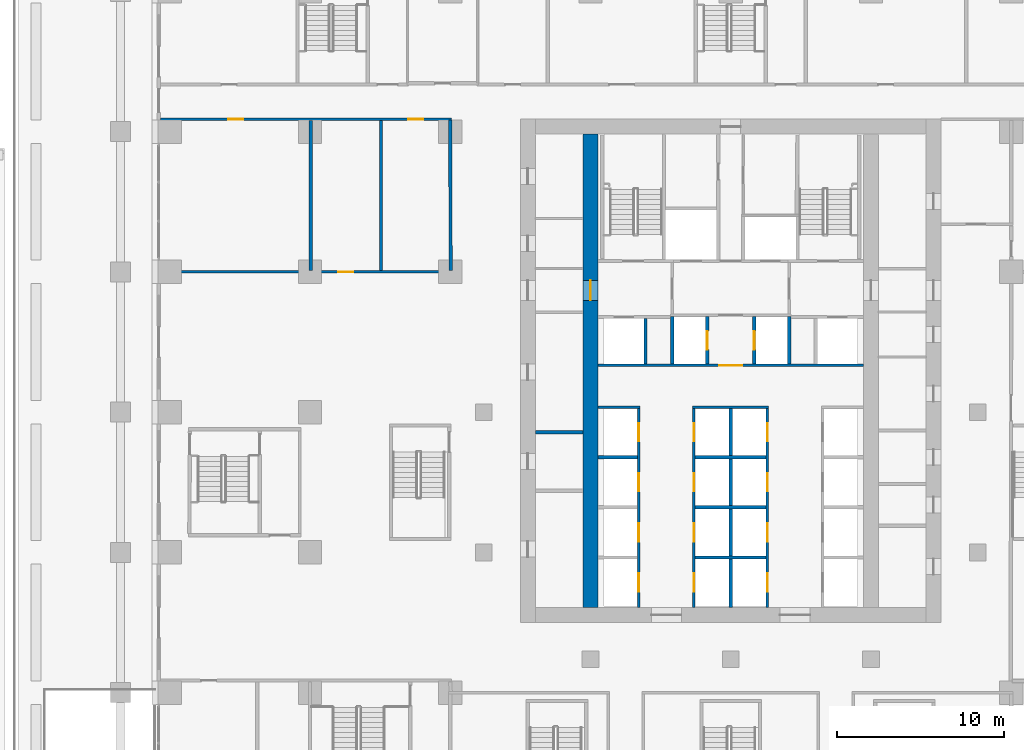
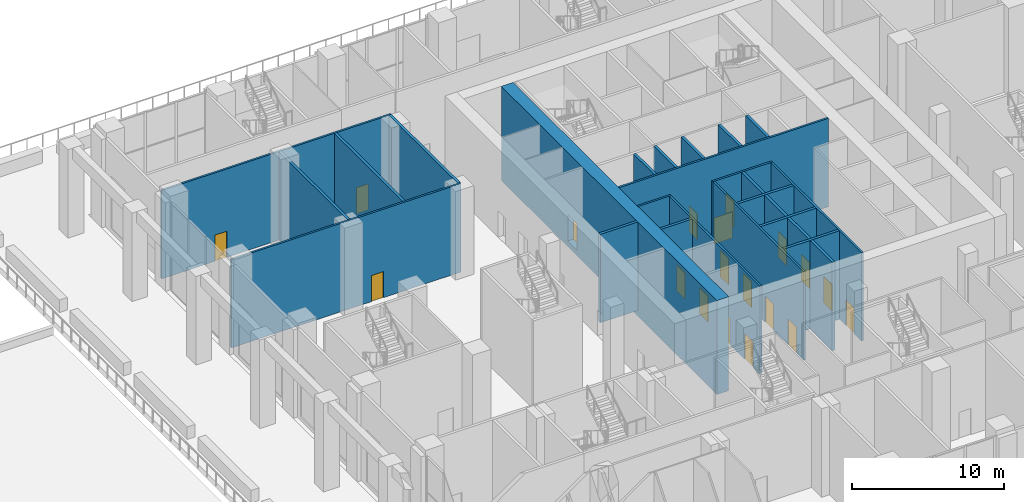
# One storey, part 24 of 53: 23 walls, 19 doors, 19 openings.
"""IFC4 building model written with IfcOpenShell, lengths in metres."""

from ifc_helpers import new_model, si_unit, direction, frame, frame_2d, origin, place, context, subcontext, project, spatial, rectangle, extrude, material, layer, layer_set, type_object, element, fill, save


model = new_model("IFC4")

# Units and contexts
model_context = context("Model", 3, precision=1e-05, world=origin(), true_north=direction((0.0, 1.0)))
body_context = subcontext(model_context, "Body", "Model", "MODEL_VIEW")
ifc_project = project(units=[si_unit("LENGTHUNIT", "METRE"), si_unit("AREAUNIT", "SQUARE_METRE"), si_unit("VOLUMEUNIT", "CUBIC_METRE"), si_unit("PLANEANGLEUNIT", "RADIAN"), si_unit("MASSUNIT", "GRAM", prefix="KILO")], contexts=[model_context])

# Site, building, storey
site_placement = place(None, origin())
site = spatial("IfcSite", under=ifc_project, at=site_placement, CompositionType="ELEMENT")
building_placement = place(site_placement, origin())
building = spatial("IfcBuilding", under=site, at=building_placement, Name="Vermilion Ogive Tower", CompositionType="ELEMENT")
storey_placement = place(building_placement, origin())
storey = spatial("IfcBuildingStorey", under=building, at=storey_placement, Name="L00", CompositionType="ELEMENT", Elevation=0.0)

# Wall, opening, door
ifc_material_1 = material(Name="Concrete B80", Category="concrete")
ifc_layer_1 = layer(ifc_material_1, 0.89990234375)
ifc_layer_set_1 = layer_set([ifc_layer_1], Name="Core wall 900 B80")
wall_type_1 = type_object("IfcWallType", Name="Core wall 900 B80", PredefinedType="SHEAR", material=ifc_layer_set_1)
wall_1_placement = place(storey_placement, frame((-8.39990234375, -7.5, -0.449951171875), z_axis=(0.0, 0.0, 1.0), x_axis=(0.0, 1.0, 0.0)))
wall_1 = element("IfcWall", 1, at=wall_1_placement, inside=storey, type_object=wall_type_1, Name="L00-CORE-WEB1", PredefinedType="SHEAR", context=body_context, shape_type="SweptSolid", body=[
    extrude(rectangle(XDim=28.35009765625, YDim=0.89990234375, at=frame_2d((14.175048828125, 0.0))), origin(), (0.0, 0.0, 1.0), 7.550048828125),
])
opening_1_placement = place(wall_1_placement, frame((18.39990234375, 0.0, 0.449951171875)))
opening_1 = element("IfcOpeningElement", 2, at=opening_1_placement, cuts=wall_1, Name="Opening DBD001", PredefinedType="OPENING", context=body_context, shape_type="SweptSolid", body=[
    extrude(rectangle(XDim=1.199951171875, YDim=2.10009765625, at=frame_2d((0.60009765625, 1.050048828125))), frame((0.0, 0.4599609375, 0.0), z_axis=(0.0, -1.0, 0.0), x_axis=(1.0, 0.0, 0.0)), (0.0, 0.0, 1.0), 0.919921875),
])
ifc_material_2 = material(Name="Timber door leaf", Category="wood")
door_type_1 = type_object("IfcDoorType", Name="Link door 1200 x 2100 FD60S", OperationType="SINGLE_SWING_LEFT", PredefinedType="DOOR", material=ifc_material_2)
door_1_placement = place(opening_1_placement, origin())
door_1 = element("IfcDoor", 3, at=door_1_placement, inside=storey, type_object=door_type_1, Name="L00-CKW-XW", OperationType="SINGLE_SWING_LEFT", OverallHeight=2.10009765625, OverallWidth=1.199951171875, PredefinedType="DOOR", context=body_context, shape_type="SweptSolid", body=[
    extrude(rectangle(XDim=1.199951171875, YDim=2.10009765625, at=frame_2d((0.60009765625, 1.050048828125))), frame((0.0, 0.02490234375, 0.0), z_axis=(0.0, -1.0, 0.0), x_axis=(1.0, 0.0, 0.0)), (0.0, 0.0, 1.0), 0.050048828125),
])
fill(opening_1, door_1)

ifc_material_3 = material(Name="Gypsum board partition on steel studs", Category="steel")
ifc_layer_2 = layer(ifc_material_3, 0.14990234375)
ifc_layer_set_2 = layer_set([ifc_layer_2], Name="Partition 150 corridor")
wall_type_2 = type_object("IfcWallType", Name="Partition 150 corridor", PredefinedType="PARTITIONING", material=ifc_layer_set_2)
wall_2_placement = place(storey_placement, frame((-34.14990234375, 12.60009765625, 0.0), z_axis=(0.0, 0.0, 1.0), x_axis=(1.0, 0.0, 0.0)))
wall_2 = element("IfcWall", 4, at=wall_2_placement, inside=storey, type_object=wall_type_2, Name="L00-FS-W-W033", PredefinedType="PARTITIONING", context=body_context, shape_type="SweptSolid", body=[
    extrude(rectangle(XDim=17.4248046875, YDim=0.14990234375, at=frame_2d((8.71240234375, 0.0))), origin(), (0.0, 0.0, 1.0), 7.10009765625),
])
opening_2_placement = place(wall_2_placement, frame((10.64990234375, 0.0, 0.0)))
opening_2 = element("IfcOpeningElement", 5, at=opening_2_placement, cuts=wall_2, Name="Opening L00S028", PredefinedType="OPENING", context=body_context, shape_type="SweptSolid", body=[
    extrude(rectangle(XDim=0.89990234375, YDim=2.10009765625, at=frame_2d((0.449951171875, 1.050048828125))), frame((0.0, 0.0849609375, 0.0), z_axis=(0.0, -1.0, 0.0), x_axis=(1.0, 0.0, 0.0)), (0.0, 0.0, 1.0), 0.169921875),
])
ifc_material_4 = material(Name="Timber door leaf", Category="wood")
door_type_2 = type_object("IfcDoorType", Name="Room door 900 x 2100 FD30", OperationType="SINGLE_SWING_LEFT", PredefinedType="DOOR", material=ifc_material_4)
door_2_placement = place(opening_2_placement, origin())
door_2 = element("IfcDoor", 6, at=door_2_placement, inside=storey, type_object=door_type_2, Name="L00-FS-D-D028", OperationType="SINGLE_SWING_RIGHT", OverallHeight=2.10009765625, OverallWidth=0.89990234375, PredefinedType="DOOR", context=body_context, shape_type="SweptSolid", body=[
    extrude(rectangle(XDim=0.89990234375, YDim=2.10009765625, at=frame_2d((0.449951171875, 1.050048828125))), frame((0.0, 0.02490234375, 0.0), z_axis=(0.0, -1.0, 0.0), x_axis=(1.0, 0.0, 0.0)), (0.0, 0.0, 1.0), 0.050048828125),
])
fill(opening_2, door_2)

# Wall, openings, doors
wall_3_placement = place(storey_placement, frame((-34.14990234375, 21.75, 0.0), z_axis=(0.0, 0.0, 1.0), x_axis=(1.0, 0.0, 0.0)))
wall_3 = element("IfcWall", 7, at=wall_3_placement, inside=storey, type_object=wall_type_2, Name="L00-FS-W-W037", PredefinedType="PARTITIONING", context=body_context, shape_type="SweptSolid", body=[
    extrude(rectangle(XDim=17.4248046875, YDim=0.14990234375, at=frame_2d((8.71240234375, 0.0))), origin(), (0.0, 0.0, 1.0), 7.10009765625),
])
opening_3_placement = place(wall_3_placement, frame((4.050048828125, 0.0, 0.0)))
opening_3 = element("IfcOpeningElement", 8, at=opening_3_placement, cuts=wall_3, Name="Opening L00S027", PredefinedType="OPENING", context=body_context, shape_type="SweptSolid", body=[
    extrude(rectangle(XDim=0.89990234375, YDim=2.10009765625, at=frame_2d((0.449951171875, 1.050048828125))), frame((0.0, 0.0849609375, 0.0), z_axis=(0.0, -1.0, 0.0), x_axis=(1.0, 0.0, 0.0)), (0.0, 0.0, 1.0), 0.169921875),
])
opening_4_placement = place(wall_3_placement, frame((14.824951171875, 0.0, 0.0)))
opening_4 = element("IfcOpeningElement", 9, at=opening_4_placement, cuts=wall_3, Name="Opening L00S029", PredefinedType="OPENING", context=body_context, shape_type="SweptSolid", body=[
    extrude(rectangle(XDim=0.89990234375, YDim=2.10009765625, at=frame_2d((0.449951171875, 1.050048828125))), frame((0.0, 0.0849609375, 0.0), z_axis=(0.0, -1.0, 0.0), x_axis=(1.0, 0.0, 0.0)), (0.0, 0.0, 1.0), 0.169921875),
])
door_3_placement = place(opening_3_placement, origin())
door_3 = element("IfcDoor", 10, at=door_3_placement, inside=storey, type_object=door_type_2, Name="L00-FS-D-D027", OperationType="SINGLE_SWING_RIGHT", OverallHeight=2.10009765625, OverallWidth=0.89990234375, PredefinedType="DOOR", context=body_context, shape_type="SweptSolid", body=[
    extrude(rectangle(XDim=0.89990234375, YDim=2.10009765625, at=frame_2d((0.449951171875, 1.050048828125))), frame((0.0, 0.02490234375, 0.0), z_axis=(0.0, -1.0, 0.0), x_axis=(1.0, 0.0, 0.0)), (0.0, 0.0, 1.0), 0.050048828125),
])
fill(opening_3, door_3)
door_4_placement = place(opening_4_placement, origin())
door_4 = element("IfcDoor", 11, at=door_4_placement, inside=storey, type_object=door_type_2, Name="L00-FS-D-D029", OperationType="SINGLE_SWING_LEFT", OverallHeight=2.10009765625, OverallWidth=0.89990234375, PredefinedType="DOOR", context=body_context, shape_type="SweptSolid", body=[
    extrude(rectangle(XDim=0.89990234375, YDim=2.10009765625, at=frame_2d((0.449951171875, 1.050048828125))), frame((0.0, 0.02490234375, 0.0), z_axis=(0.0, -1.0, 0.0), x_axis=(1.0, 0.0, 0.0)), (0.0, 0.0, 1.0), 0.050048828125),
])
fill(opening_4, door_4)

# Walls
wall_4_placement = place(storey_placement, frame((-7.948974609375, 4.5, 0.0), z_axis=(0.0, 0.0, 1.0), x_axis=(1.0, 0.0, 0.0)))
element("IfcWall", 12, at=wall_4_placement, inside=storey, type_object=wall_type_2, Name="L00-CK-W-W010", PredefinedType="PARTITIONING", context=body_context, shape_type="SweptSolid", body=[
    extrude(rectangle(XDim=2.52392578125, YDim=0.14990234375, at=frame_2d((1.261962890625, 0.0))), origin(), (0.0, 0.0, 1.0), 7.10009765625),
])
wall_5_placement = place(storey_placement, frame((-2.27490234375, 4.5, 0.0), z_axis=(0.0, 0.0, 1.0), x_axis=(1.0, 0.0, 0.0)))
element("IfcWall", 13, at=wall_5_placement, inside=storey, type_object=wall_type_2, Name="L00-CK-W-W011", PredefinedType="PARTITIONING", context=body_context, shape_type="SweptSolid", body=[
    extrude(rectangle(XDim=4.5498046875, YDim=0.14990234375, at=frame_2d((2.27490234375, 0.0))), origin(), (0.0, 0.0, 1.0), 7.10009765625),
])

# Wall, opening, door
wall_6_placement = place(storey_placement, frame((-7.948974609375, 7.0, 0.0), z_axis=(0.0, 0.0, 1.0), x_axis=(1.0, 0.0, 0.0)))
wall_6 = element("IfcWall", 14, at=wall_6_placement, inside=storey, type_object=wall_type_2, Name="L00-CK-W-W013", PredefinedType="PARTITIONING", context=body_context, shape_type="SweptSolid", body=[
    extrude(rectangle(XDim=15.89794921875, YDim=0.14990234375, at=frame_2d((7.948974609375, 0.0))), origin(), (0.0, 0.0, 1.0), 7.10009765625),
])
opening_5_placement = place(wall_6_placement, frame((7.2490234375, 0.0, 0.0)))
opening_5 = element("IfcOpeningElement", 15, at=opening_5_placement, cuts=wall_6, Name="Opening DAB003", PredefinedType="OPENING", context=body_context, shape_type="SweptSolid", body=[
    extrude(rectangle(XDim=1.39990234375, YDim=2.10009765625, at=frame_2d((0.699951171875, 1.050048828125))), frame((0.0, 0.0849609375, 0.0), z_axis=(0.0, -1.0, 0.0), x_axis=(1.0, 0.0, 0.0)), (0.0, 0.0, 1.0), 0.169921875),
])
ifc_material_5 = material(Name="Timber door leaf", Category="wood")
door_type_3 = type_object("IfcDoorType", Name="Lobby door 1400 x 2100 FD60S", OperationType="SINGLE_SWING_LEFT", PredefinedType="DOOR", material=ifc_material_5)
door_5_placement = place(opening_5_placement, origin())
door_5 = element("IfcDoor", 16, at=door_5_placement, inside=storey, type_object=door_type_3, Name="L00-CK-D-D021", OperationType="SINGLE_SWING_RIGHT", OverallHeight=2.10009765625, OverallWidth=1.39990234375, PredefinedType="DOOR", context=body_context, shape_type="SweptSolid", body=[
    extrude(rectangle(XDim=1.39990234375, YDim=2.10009765625, at=frame_2d((0.699951171875, 1.050048828125))), frame((0.0, 0.02490234375, 0.0), z_axis=(0.0, -1.0, 0.0), x_axis=(1.0, 0.0, 0.0)), (0.0, 0.0, 1.0), 0.050048828125),
])
fill(opening_5, door_5)

# Wall, openings, doors
wall_7_placement = place(storey_placement, frame((-5.5, -7.4990234375, 0.0), z_axis=(0.0, 0.0, 1.0), x_axis=(0.0, 1.0, 0.0)))
wall_7 = element("IfcWall", 17, at=wall_7_placement, inside=storey, type_object=wall_type_2, Name="L00-CK-W-W022", PredefinedType="PARTITIONING", context=body_context, shape_type="SweptSolid", body=[
    extrude(rectangle(XDim=11.924072265625, YDim=0.14990234375, at=frame_2d((5.9619140625, 0.0))), origin(), (0.0, 0.0, 1.0), 7.10009765625),
])
opening_6_placement = place(wall_7_placement, frame((0.948974609375, 0.0, 0.0)))
opening_6 = element("IfcOpeningElement", 18, at=opening_6_placement, cuts=wall_7, Name="Opening DAB010", PredefinedType="OPENING", context=body_context, shape_type="SweptSolid", body=[
    extrude(rectangle(XDim=1.10009765625, YDim=2.10009765625, at=frame_2d((0.550048828125, 1.050048828125))), frame((0.0, 0.0849609375, 0.0), z_axis=(0.0, -1.0, 0.0), x_axis=(1.0, 0.0, 0.0)), (0.0, 0.0, 1.0), 0.169921875),
])
opening_7_placement = place(wall_7_placement, frame((3.948974609375, 0.0, 0.0)))
opening_7 = element("IfcOpeningElement", 19, at=opening_7_placement, cuts=wall_7, Name="Opening DAB021", PredefinedType="OPENING", context=body_context, shape_type="SweptSolid", body=[
    extrude(rectangle(XDim=1.10009765625, YDim=2.10009765625, at=frame_2d((0.550048828125, 1.050048828125))), frame((0.0, 0.0849609375, 0.0), z_axis=(0.0, -1.0, 0.0), x_axis=(1.0, 0.0, 0.0)), (0.0, 0.0, 1.0), 0.169921875),
])
opening_8_placement = place(wall_7_placement, frame((6.948974609375, 0.0, 0.0)))
opening_8 = element("IfcOpeningElement", 20, at=opening_8_placement, cuts=wall_7, Name="Opening DAB024", PredefinedType="OPENING", context=body_context, shape_type="SweptSolid", body=[
    extrude(rectangle(XDim=1.10009765625, YDim=2.10009765625, at=frame_2d((0.550048828125, 1.050048828125))), frame((0.0, 0.0849609375, 0.0), z_axis=(0.0, -1.0, 0.0), x_axis=(1.0, 0.0, 0.0)), (0.0, 0.0, 1.0), 0.169921875),
])
opening_9_placement = place(wall_7_placement, frame((9.948974609375, 0.0, 0.0)))
opening_9 = element("IfcOpeningElement", 21, at=opening_9_placement, cuts=wall_7, Name="Opening DAB025", PredefinedType="OPENING", context=body_context, shape_type="SweptSolid", body=[
    extrude(rectangle(XDim=1.10009765625, YDim=2.10009765625, at=frame_2d((0.550048828125, 1.050048828125))), frame((0.0, 0.0849609375, 0.0), z_axis=(0.0, -1.0, 0.0), x_axis=(1.0, 0.0, 0.0)), (0.0, 0.0, 1.0), 0.169921875),
])
ifc_material_6 = material(Name="Stainless steel", Category="steel")
door_type_4 = type_object("IfcDoorType", Name="Lift landing door 1100 x 2100", OperationType="SLIDING_TO_LEFT", PredefinedType="DOOR", material=ifc_material_6)
door_6_placement = place(opening_6_placement, origin())
door_6 = element("IfcDoor", 22, at=door_6_placement, inside=storey, type_object=door_type_4, Name="L00-CK-D-D001", OperationType="SLIDING_TO_RIGHT", OverallHeight=2.10009765625, OverallWidth=1.10009765625, PredefinedType="DOOR", context=body_context, shape_type="SweptSolid", body=[
    extrude(rectangle(XDim=1.10009765625, YDim=2.10009765625, at=frame_2d((0.550048828125, 1.050048828125))), frame((0.0, 0.02490234375, 0.0), z_axis=(0.0, -1.0, 0.0), x_axis=(1.0, 0.0, 0.0)), (0.0, 0.0, 1.0), 0.050048828125),
])
fill(opening_6, door_6)
door_7_placement = place(opening_7_placement, origin())
door_7 = element("IfcDoor", 23, at=door_7_placement, inside=storey, type_object=door_type_4, Name="L00-CK-D-D002", OperationType="SLIDING_TO_RIGHT", OverallHeight=2.10009765625, OverallWidth=1.10009765625, PredefinedType="DOOR", context=body_context, shape_type="SweptSolid", body=[
    extrude(rectangle(XDim=1.10009765625, YDim=2.10009765625, at=frame_2d((0.550048828125, 1.050048828125))), frame((0.0, 0.02490234375, 0.0), z_axis=(0.0, -1.0, 0.0), x_axis=(1.0, 0.0, 0.0)), (0.0, 0.0, 1.0), 0.050048828125),
])
fill(opening_7, door_7)
door_8_placement = place(opening_8_placement, origin())
door_8 = element("IfcDoor", 24, at=door_8_placement, inside=storey, type_object=door_type_4, Name="L00-CK-D-D003", OperationType="SLIDING_TO_RIGHT", OverallHeight=2.10009765625, OverallWidth=1.10009765625, PredefinedType="DOOR", context=body_context, shape_type="SweptSolid", body=[
    extrude(rectangle(XDim=1.10009765625, YDim=2.10009765625, at=frame_2d((0.550048828125, 1.050048828125))), frame((0.0, 0.02490234375, 0.0), z_axis=(0.0, -1.0, 0.0), x_axis=(1.0, 0.0, 0.0)), (0.0, 0.0, 1.0), 0.050048828125),
])
fill(opening_8, door_8)
door_9_placement = place(opening_9_placement, origin())
door_9 = element("IfcDoor", 25, at=door_9_placement, inside=storey, type_object=door_type_4, Name="L00-CK-D-D004", OperationType="SLIDING_TO_RIGHT", OverallHeight=2.10009765625, OverallWidth=1.10009765625, PredefinedType="DOOR", context=body_context, shape_type="SweptSolid", body=[
    extrude(rectangle(XDim=1.10009765625, YDim=2.10009765625, at=frame_2d((0.550048828125, 1.050048828125))), frame((0.0, 0.02490234375, 0.0), z_axis=(0.0, -1.0, 0.0), x_axis=(1.0, 0.0, 0.0)), (0.0, 0.0, 1.0), 0.050048828125),
])
fill(opening_9, door_9)

wall_8_placement = place(storey_placement, frame((-2.199951171875, -7.4990234375, 0.0), z_axis=(0.0, 0.0, 1.0), x_axis=(0.0, 1.0, 0.0)))
wall_8 = element("IfcWall", 26, at=wall_8_placement, inside=storey, type_object=wall_type_2, Name="L00-CK-W-W027", PredefinedType="PARTITIONING", context=body_context, shape_type="SweptSolid", body=[
    extrude(rectangle(XDim=11.924072265625, YDim=0.14990234375, at=frame_2d((5.9619140625, 0.0))), origin(), (0.0, 0.0, 1.0), 7.10009765625),
])
opening_10_placement = place(wall_8_placement, frame((0.948974609375, 0.0, 0.0)))
opening_10 = element("IfcOpeningElement", 27, at=opening_10_placement, cuts=wall_8, Name="Opening DAB026", PredefinedType="OPENING", context=body_context, shape_type="SweptSolid", body=[
    extrude(rectangle(XDim=1.10009765625, YDim=2.10009765625, at=frame_2d((0.550048828125, 1.050048828125))), frame((0.0, 0.0849609375, 0.0), z_axis=(0.0, -1.0, 0.0), x_axis=(1.0, 0.0, 0.0)), (0.0, 0.0, 1.0), 0.169921875),
])
opening_11_placement = place(wall_8_placement, frame((3.948974609375, 0.0, 0.0)))
opening_11 = element("IfcOpeningElement", 28, at=opening_11_placement, cuts=wall_8, Name="Opening DAB027", PredefinedType="OPENING", context=body_context, shape_type="SweptSolid", body=[
    extrude(rectangle(XDim=1.10009765625, YDim=2.10009765625, at=frame_2d((0.550048828125, 1.050048828125))), frame((0.0, 0.0849609375, 0.0), z_axis=(0.0, -1.0, 0.0), x_axis=(1.0, 0.0, 0.0)), (0.0, 0.0, 1.0), 0.169921875),
])
opening_12_placement = place(wall_8_placement, frame((6.948974609375, 0.0, 0.0)))
opening_12 = element("IfcOpeningElement", 29, at=opening_12_placement, cuts=wall_8, Name="Opening DAB028", PredefinedType="OPENING", context=body_context, shape_type="SweptSolid", body=[
    extrude(rectangle(XDim=1.10009765625, YDim=2.10009765625, at=frame_2d((0.550048828125, 1.050048828125))), frame((0.0, 0.0849609375, 0.0), z_axis=(0.0, -1.0, 0.0), x_axis=(1.0, 0.0, 0.0)), (0.0, 0.0, 1.0), 0.169921875),
])
opening_13_placement = place(wall_8_placement, frame((9.948974609375, 0.0, 0.0)))
opening_13 = element("IfcOpeningElement", 30, at=opening_13_placement, cuts=wall_8, Name="Opening DAB029", PredefinedType="OPENING", context=body_context, shape_type="SweptSolid", body=[
    extrude(rectangle(XDim=1.10009765625, YDim=2.10009765625, at=frame_2d((0.550048828125, 1.050048828125))), frame((0.0, 0.0849609375, 0.0), z_axis=(0.0, -1.0, 0.0), x_axis=(1.0, 0.0, 0.0)), (0.0, 0.0, 1.0), 0.169921875),
])
door_10_placement = place(opening_10_placement, origin())
door_10 = element("IfcDoor", 31, at=door_10_placement, inside=storey, type_object=door_type_4, Name="L00-CK-D-D005", OperationType="SLIDING_TO_RIGHT", OverallHeight=2.10009765625, OverallWidth=1.10009765625, PredefinedType="DOOR", context=body_context, shape_type="SweptSolid", body=[
    extrude(rectangle(XDim=1.10009765625, YDim=2.10009765625, at=frame_2d((0.550048828125, 1.050048828125))), frame((0.0, 0.02490234375, 0.0), z_axis=(0.0, -1.0, 0.0), x_axis=(1.0, 0.0, 0.0)), (0.0, 0.0, 1.0), 0.050048828125),
])
fill(opening_10, door_10)
door_11_placement = place(opening_11_placement, origin())
door_11 = element("IfcDoor", 32, at=door_11_placement, inside=storey, type_object=door_type_4, Name="L00-CK-D-D006", OperationType="SLIDING_TO_RIGHT", OverallHeight=2.10009765625, OverallWidth=1.10009765625, PredefinedType="DOOR", context=body_context, shape_type="SweptSolid", body=[
    extrude(rectangle(XDim=1.10009765625, YDim=2.10009765625, at=frame_2d((0.550048828125, 1.050048828125))), frame((0.0, 0.02490234375, 0.0), z_axis=(0.0, -1.0, 0.0), x_axis=(1.0, 0.0, 0.0)), (0.0, 0.0, 1.0), 0.050048828125),
])
fill(opening_11, door_11)
door_12_placement = place(opening_12_placement, origin())
door_12 = element("IfcDoor", 33, at=door_12_placement, inside=storey, type_object=door_type_4, Name="L00-CK-D-D007", OperationType="SLIDING_TO_RIGHT", OverallHeight=2.10009765625, OverallWidth=1.10009765625, PredefinedType="DOOR", context=body_context, shape_type="SweptSolid", body=[
    extrude(rectangle(XDim=1.10009765625, YDim=2.10009765625, at=frame_2d((0.550048828125, 1.050048828125))), frame((0.0, 0.02490234375, 0.0), z_axis=(0.0, -1.0, 0.0), x_axis=(1.0, 0.0, 0.0)), (0.0, 0.0, 1.0), 0.050048828125),
])
fill(opening_12, door_12)
door_13_placement = place(opening_13_placement, origin())
door_13 = element("IfcDoor", 34, at=door_13_placement, inside=storey, type_object=door_type_4, Name="L00-CK-D-D008", OperationType="SLIDING_TO_RIGHT", OverallHeight=2.10009765625, OverallWidth=1.10009765625, PredefinedType="DOOR", context=body_context, shape_type="SweptSolid", body=[
    extrude(rectangle(XDim=1.10009765625, YDim=2.10009765625, at=frame_2d((0.550048828125, 1.050048828125))), frame((0.0, 0.02490234375, 0.0), z_axis=(0.0, -1.0, 0.0), x_axis=(1.0, 0.0, 0.0)), (0.0, 0.0, 1.0), 0.050048828125),
])
fill(opening_13, door_13)

wall_9_placement = place(storey_placement, frame((2.199951171875, -7.4990234375, 0.0), z_axis=(0.0, 0.0, 1.0), x_axis=(0.0, 1.0, 0.0)))
wall_9 = element("IfcWall", 35, at=wall_9_placement, inside=storey, type_object=wall_type_2, Name="L00-CK-W-W034", PredefinedType="PARTITIONING", context=body_context, shape_type="SweptSolid", body=[
    extrude(rectangle(XDim=11.924072265625, YDim=0.14990234375, at=frame_2d((5.9619140625, 0.0))), origin(), (0.0, 0.0, 1.0), 7.10009765625),
])
opening_14_placement = place(wall_9_placement, frame((0.948974609375, 0.0, 0.0)))
opening_14 = element("IfcOpeningElement", 36, at=opening_14_placement, cuts=wall_9, Name="Opening DAB030", PredefinedType="OPENING", context=body_context, shape_type="SweptSolid", body=[
    extrude(rectangle(XDim=1.10009765625, YDim=2.10009765625, at=frame_2d((0.550048828125, 1.050048828125))), frame((0.0, 0.0849609375, 0.0), z_axis=(0.0, -1.0, 0.0), x_axis=(1.0, 0.0, 0.0)), (0.0, 0.0, 1.0), 0.169921875),
])
opening_15_placement = place(wall_9_placement, frame((3.948974609375, 0.0, 0.0)))
opening_15 = element("IfcOpeningElement", 37, at=opening_15_placement, cuts=wall_9, Name="Opening DAB011", PredefinedType="OPENING", context=body_context, shape_type="SweptSolid", body=[
    extrude(rectangle(XDim=1.10009765625, YDim=2.10009765625, at=frame_2d((0.550048828125, 1.050048828125))), frame((0.0, 0.0849609375, 0.0), z_axis=(0.0, -1.0, 0.0), x_axis=(1.0, 0.0, 0.0)), (0.0, 0.0, 1.0), 0.169921875),
])
opening_16_placement = place(wall_9_placement, frame((6.948974609375, 0.0, 0.0)))
opening_16 = element("IfcOpeningElement", 38, at=opening_16_placement, cuts=wall_9, Name="Opening DAB012", PredefinedType="OPENING", context=body_context, shape_type="SweptSolid", body=[
    extrude(rectangle(XDim=1.10009765625, YDim=2.10009765625, at=frame_2d((0.550048828125, 1.050048828125))), frame((0.0, 0.0849609375, 0.0), z_axis=(0.0, -1.0, 0.0), x_axis=(1.0, 0.0, 0.0)), (0.0, 0.0, 1.0), 0.169921875),
])
opening_17_placement = place(wall_9_placement, frame((9.948974609375, 0.0, 0.0)))
opening_17 = element("IfcOpeningElement", 39, at=opening_17_placement, cuts=wall_9, Name="Opening DAB013", PredefinedType="OPENING", context=body_context, shape_type="SweptSolid", body=[
    extrude(rectangle(XDim=1.10009765625, YDim=2.10009765625, at=frame_2d((0.550048828125, 1.050048828125))), frame((0.0, 0.0849609375, 0.0), z_axis=(0.0, -1.0, 0.0), x_axis=(1.0, 0.0, 0.0)), (0.0, 0.0, 1.0), 0.169921875),
])
door_14_placement = place(opening_14_placement, origin())
door_14 = element("IfcDoor", 40, at=door_14_placement, inside=storey, type_object=door_type_4, Name="L00-CK-D-D009", OperationType="SLIDING_TO_RIGHT", OverallHeight=2.10009765625, OverallWidth=1.10009765625, PredefinedType="DOOR", context=body_context, shape_type="SweptSolid", body=[
    extrude(rectangle(XDim=1.10009765625, YDim=2.10009765625, at=frame_2d((0.550048828125, 1.050048828125))), frame((0.0, 0.02490234375, 0.0), z_axis=(0.0, -1.0, 0.0), x_axis=(1.0, 0.0, 0.0)), (0.0, 0.0, 1.0), 0.050048828125),
])
fill(opening_14, door_14)
door_15_placement = place(opening_15_placement, origin())
door_15 = element("IfcDoor", 41, at=door_15_placement, inside=storey, type_object=door_type_4, Name="L00-CK-D-D010", OperationType="SLIDING_TO_RIGHT", OverallHeight=2.10009765625, OverallWidth=1.10009765625, PredefinedType="DOOR", context=body_context, shape_type="SweptSolid", body=[
    extrude(rectangle(XDim=1.10009765625, YDim=2.10009765625, at=frame_2d((0.550048828125, 1.050048828125))), frame((0.0, 0.02490234375, 0.0), z_axis=(0.0, -1.0, 0.0), x_axis=(1.0, 0.0, 0.0)), (0.0, 0.0, 1.0), 0.050048828125),
])
fill(opening_15, door_15)
door_16_placement = place(opening_16_placement, origin())
door_16 = element("IfcDoor", 42, at=door_16_placement, inside=storey, type_object=door_type_4, Name="L00-CK-D-D011", OperationType="SLIDING_TO_RIGHT", OverallHeight=2.10009765625, OverallWidth=1.10009765625, PredefinedType="DOOR", context=body_context, shape_type="SweptSolid", body=[
    extrude(rectangle(XDim=1.10009765625, YDim=2.10009765625, at=frame_2d((0.550048828125, 1.050048828125))), frame((0.0, 0.02490234375, 0.0), z_axis=(0.0, -1.0, 0.0), x_axis=(1.0, 0.0, 0.0)), (0.0, 0.0, 1.0), 0.050048828125),
])
fill(opening_16, door_16)
door_17_placement = place(opening_17_placement, origin())
door_17 = element("IfcDoor", 43, at=door_17_placement, inside=storey, type_object=door_type_4, Name="L00-CK-D-D012", OperationType="SLIDING_TO_RIGHT", OverallHeight=2.10009765625, OverallWidth=1.10009765625, PredefinedType="DOOR", context=body_context, shape_type="SweptSolid", body=[
    extrude(rectangle(XDim=1.10009765625, YDim=2.10009765625, at=frame_2d((0.550048828125, 1.050048828125))), frame((0.0, 0.02490234375, 0.0), z_axis=(0.0, -1.0, 0.0), x_axis=(1.0, 0.0, 0.0)), (0.0, 0.0, 1.0), 0.050048828125),
])
fill(opening_17, door_17)

# Walls
ifc_material_7 = material(Name="Gypsum board partition on steel studs", Category="steel")
ifc_layer_3 = layer(ifc_material_7, 0.199951171875)
ifc_layer_set_3 = layer_set([ifc_layer_3], Name="Partition 200 party")
wall_type_3 = type_object("IfcWallType", Name="Partition 200 party", PredefinedType="PARTITIONING", material=ifc_layer_set_3)
for number, where, z_axis, x_axis, name in (
    (44, (-25.14990234375, 12.675048828125, 0.0), (0.0, 0.0, 1.0), (0.0, 1.0, 0.0), "L00-FS-W-W063"),
    (45, (-20.949951171875, 12.675048828125, 0.0), (0.0, 0.0, 1.0), (0.0, 1.0, 0.0), "L00-FS-W-W066"),
):
    element("IfcWall", number, at=place(storey_placement, frame(where, z_axis=z_axis, x_axis=x_axis)), inside=storey, type_object=wall_type_3, Name=name, PredefinedType="PARTITIONING", context=body_context, shape_type="SweptSolid", body=[
        extrude(rectangle(XDim=9.0, YDim=0.199951171875, at=frame_2d((4.5, 0.0))), origin(), (0.0, 0.0, 1.0), 7.10009765625),
    ])
for number, where, z_axis, x_axis, name in (
    (46, (-2.125, -4.5, 0.0), (0.0, 0.0, 1.0), (1.0, 0.0, 0.0), "L00-CK-W-W002"),
    (47, (-2.125, -1.5, 0.0), (0.0, 0.0, 1.0), (1.0, 0.0, 0.0), "L00-CK-W-W005"),
):
    element("IfcWall", number, at=place(storey_placement, frame(where, z_axis=z_axis, x_axis=x_axis)), inside=storey, type_object=wall_type_3, Name=name, PredefinedType="PARTITIONING", context=body_context, shape_type="SweptSolid", body=[
        extrude(rectangle(XDim=4.25, YDim=0.199951171875, at=frame_2d((2.125, 0.0))), origin(), (0.0, 0.0, 1.0), 7.10009765625),
    ])
wall_10_placement = place(storey_placement, frame((-7.948974609375, 1.5, 0.0), z_axis=(0.0, 0.0, 1.0), x_axis=(1.0, 0.0, 0.0)))
element("IfcWall", 48, at=wall_10_placement, inside=storey, type_object=wall_type_3, Name="L00-CK-W-W007", PredefinedType="PARTITIONING", context=body_context, shape_type="SweptSolid", body=[
    extrude(rectangle(XDim=2.3740234375, YDim=0.199951171875, at=frame_2d((1.18701171875, 0.0))), origin(), (0.0, 0.0, 1.0), 7.10009765625),
])
wall_11_placement = place(storey_placement, frame((-2.125, 1.5, 0.0), z_axis=(0.0, 0.0, 1.0), x_axis=(1.0, 0.0, 0.0)))
element("IfcWall", 49, at=wall_11_placement, inside=storey, type_object=wall_type_3, Name="L00-CK-W-W008", PredefinedType="PARTITIONING", context=body_context, shape_type="SweptSolid", body=[
    extrude(rectangle(XDim=4.25, YDim=0.199951171875, at=frame_2d((2.125, 0.0))), origin(), (0.0, 0.0, 1.0), 7.10009765625),
])
wall_12_placement = place(storey_placement, frame((-5.10009765625, 7.074951171875, 0.0), z_axis=(0.0, 0.0, 1.0), x_axis=(0.0, 1.0, 0.0)))
element("IfcWall", 50, at=wall_12_placement, inside=storey, type_object=wall_type_3, Name="L00-CK-W-W023", PredefinedType="PARTITIONING", context=body_context, shape_type="SweptSolid", body=[
    extrude(rectangle(XDim=2.72509765625, YDim=0.199951171875, at=frame_2d((1.362548828125, 0.0))), origin(), (0.0, 0.0, 1.0), 7.10009765625),
])
wall_13_placement = place(storey_placement, frame((-3.5, 7.074951171875, 0.0), z_axis=(0.0, 0.0, 1.0), x_axis=(0.0, 1.0, 0.0)))
element("IfcWall", 51, at=wall_13_placement, inside=storey, type_object=wall_type_3, Name="L00-CK-W-W025", PredefinedType="PARTITIONING", context=body_context, shape_type="SweptSolid", body=[
    extrude(rectangle(XDim=2.85009765625, YDim=0.199951171875, at=frame_2d((1.425048828125, 0.0))), origin(), (0.0, 0.0, 1.0), 7.10009765625),
])

# Wall, opening, door
wall_14_placement = place(storey_placement, frame((-1.39990234375, 7.074951171875, 0.0), z_axis=(0.0, 0.0, 1.0), x_axis=(0.0, 1.0, 0.0)))
wall_14 = element("IfcWall", 52, at=wall_14_placement, inside=storey, type_object=wall_type_3, Name="L00-CK-W-W028", PredefinedType="PARTITIONING", context=body_context, shape_type="SweptSolid", body=[
    extrude(rectangle(XDim=2.85009765625, YDim=0.199951171875, at=frame_2d((1.425048828125, 0.0))), origin(), (0.0, 0.0, 1.0), 7.10009765625),
])
opening_18_placement = place(wall_14_placement, frame((0.875, 0.0, 0.0)))
opening_18 = element("IfcOpeningElement", 53, at=opening_18_placement, cuts=wall_14, Name="Opening DAB020", PredefinedType="OPENING", context=body_context, shape_type="SweptSolid", body=[
    extrude(rectangle(XDim=1.10009765625, YDim=2.10009765625, at=frame_2d((0.550048828125, 1.050048828125))), frame((0.0, 0.10986328125, 0.0), z_axis=(0.0, -1.0, 0.0), x_axis=(1.0, 0.0, 0.0)), (0.0, 0.0, 1.0), 0.219970703125),
])
door_18_placement = place(opening_18_placement, origin())
door_18 = element("IfcDoor", 54, at=door_18_placement, inside=storey, type_object=door_type_4, Name="L00-CK-D-D023", OperationType="SLIDING_TO_RIGHT", OverallHeight=2.10009765625, OverallWidth=1.10009765625, PredefinedType="DOOR", context=body_context, shape_type="SweptSolid", body=[
    extrude(rectangle(XDim=1.10009765625, YDim=2.10009765625, at=frame_2d((0.550048828125, 1.050048828125))), frame((0.0, 0.02490234375, 0.0), z_axis=(0.0, -1.0, 0.0), x_axis=(1.0, 0.0, 0.0)), (0.0, 0.0, 1.0), 0.050048828125),
])
fill(opening_18, door_18)

# Wall
wall_15_placement = place(storey_placement, frame((0.0, -7.4990234375, 0.0), z_axis=(0.0, 0.0, 1.0), x_axis=(0.0, 1.0, 0.0)))
element("IfcWall", 55, at=wall_15_placement, inside=storey, type_object=wall_type_3, Name="L00-CK-W-W030", PredefinedType="PARTITIONING", context=body_context, shape_type="SweptSolid", body=[
    extrude(rectangle(XDim=11.924072265625, YDim=0.199951171875, at=frame_2d((5.9619140625, 0.0))), origin(), (0.0, 0.0, 1.0), 7.10009765625),
])

# Wall, opening, door
wall_16_placement = place(storey_placement, frame((1.39990234375, 7.074951171875, 0.0), z_axis=(0.0, 0.0, 1.0), x_axis=(0.0, 1.0, 0.0)))
wall_16 = element("IfcWall", 56, at=wall_16_placement, inside=storey, type_object=wall_type_3, Name="L00-CK-W-W033", PredefinedType="PARTITIONING", context=body_context, shape_type="SweptSolid", body=[
    extrude(rectangle(XDim=2.85009765625, YDim=0.199951171875, at=frame_2d((1.425048828125, 0.0))), origin(), (0.0, 0.0, 1.0), 7.10009765625),
])
opening_19_placement = place(wall_16_placement, frame((0.875, 0.0, 0.0)))
opening_19 = element("IfcOpeningElement", 57, at=opening_19_placement, cuts=wall_16, Name="Opening DAB022", PredefinedType="OPENING", context=body_context, shape_type="SweptSolid", body=[
    extrude(rectangle(XDim=1.10009765625, YDim=2.10009765625, at=frame_2d((0.550048828125, 1.050048828125))), frame((0.0, 0.10986328125, 0.0), z_axis=(0.0, -1.0, 0.0), x_axis=(1.0, 0.0, 0.0)), (0.0, 0.0, 1.0), 0.219970703125),
])
door_19_placement = place(opening_19_placement, origin())
door_19 = element("IfcDoor", 58, at=door_19_placement, inside=storey, type_object=door_type_4, Name="L00-CK-D-D024", OperationType="SLIDING_TO_RIGHT", OverallHeight=2.10009765625, OverallWidth=1.10009765625, PredefinedType="DOOR", context=body_context, shape_type="SweptSolid", body=[
    extrude(rectangle(XDim=1.10009765625, YDim=2.10009765625, at=frame_2d((0.550048828125, 1.050048828125))), frame((0.0, 0.02490234375, 0.0), z_axis=(0.0, -1.0, 0.0), x_axis=(1.0, 0.0, 0.0)), (0.0, 0.0, 1.0), 0.050048828125),
])
fill(opening_19, door_19)

# Walls
wall_17_placement = place(storey_placement, frame((3.5, 7.074951171875, 0.0), z_axis=(0.0, 0.0, 1.0), x_axis=(0.0, 1.0, 0.0)))
element("IfcWall", 59, at=wall_17_placement, inside=storey, type_object=wall_type_3, Name="L00-CK-W-W035", PredefinedType="PARTITIONING", context=body_context, shape_type="SweptSolid", body=[
    extrude(rectangle(XDim=2.85009765625, YDim=0.199951171875, at=frame_2d((1.425048828125, 0.0))), origin(), (0.0, 0.0, 1.0), 7.10009765625),
])
wall_18_placement = place(storey_placement, frame((-11.698974609375, 3.0, 0.0), z_axis=(0.0, 0.0, 1.0), x_axis=(1.0, 0.0, 0.0)))
element("IfcWall", 60, at=wall_18_placement, inside=storey, type_object=wall_type_3, Name="L00-CKW-W-W002", PredefinedType="PARTITIONING", context=body_context, shape_type="SweptSolid", body=[
    extrude(rectangle(XDim=2.847900390625, YDim=0.199951171875, at=frame_2d((1.423828125, 0.0))), origin(), (0.0, 0.0, 1.0), 7.10009765625),
])
ifc_material_8 = material(Name="Concrete B60", Category="concrete")
ifc_layer_4 = layer(ifc_material_8, 0.199951171875)
ifc_layer_set_4 = layer_set([ifc_layer_4], Name="Stair shaft wall 200 Concrete B60")
wall_type_4 = type_object("IfcWallType", Name="Stair shaft wall 200 Concrete B60", PredefinedType="SOLIDWALL", material=ifc_layer_set_4)
wall_19_placement = place(storey_placement, frame((-16.775146484375, 12.675048828125, 0.0), z_axis=(0.0, 0.0, 1.0), x_axis=(-0.002759281819, 0.999996193175, 0.0)))
element("IfcWall", 61, at=wall_19_placement, inside=storey, type_object=wall_type_4, Name="L00-FS-W-W074", PredefinedType="SOLIDWALL", context=body_context, shape_type="SweptSolid", body=[
    extrude(rectangle(XDim=9.02490234375, YDim=0.199951171875, at=frame_2d((4.512451171875, 0.0))), origin(), (0.0, 0.0, 1.0), 7.10009765625),
])

save(model, "model.ifc")
